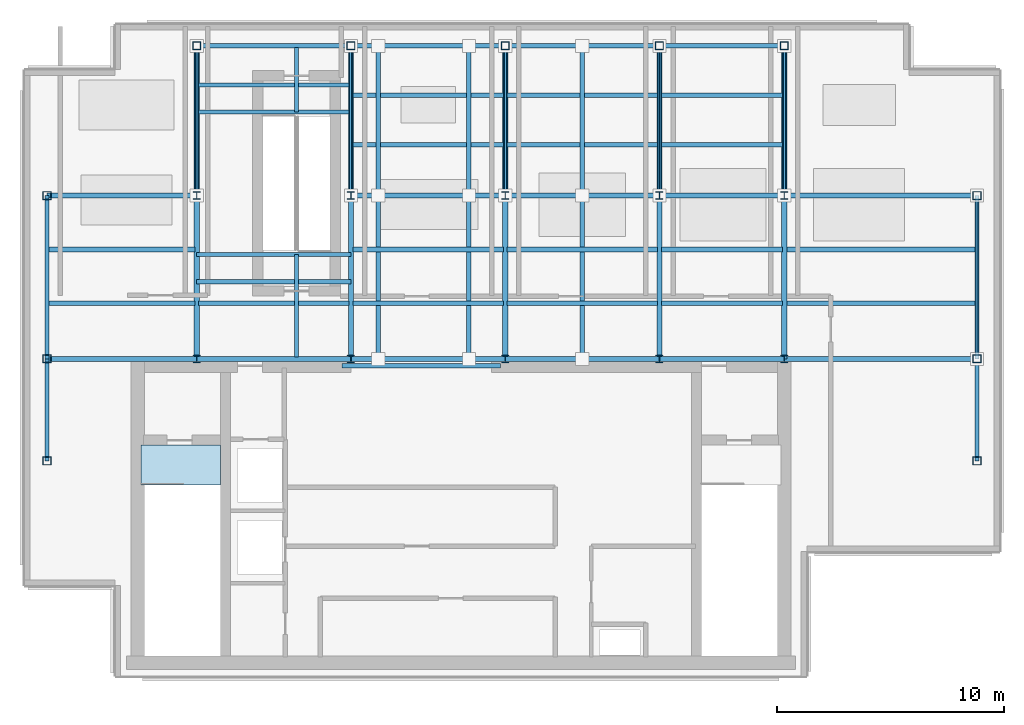
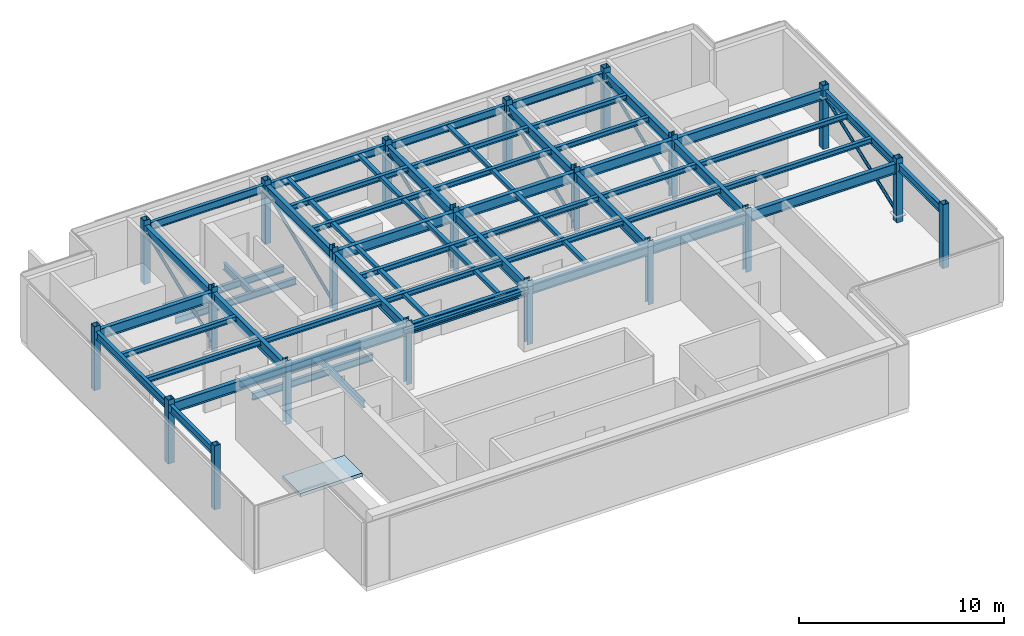
# One storey, part 1 of 5: 53 beams, 21 columns, 12 members, 1 slab.
"""IFC4 building model written with IfcOpenShell, lengths in metres."""

from ifc_helpers import new_model, si_unit, derived_unit, direction, frame, origin, origin_2d, place, context, subcontext, project, spatial, polyline, hollow_rectangle, hollow_circle, i_section, outline, extrude, source, transform, mapped, material, layer, layer_set, material_profile, profile_set, type_object, element, save


model = new_model("IFC4")

# Units and contexts
model_context = context("Model", 3, precision=1e-05, world=origin(), true_north=direction((0.0, 1.0)))
body_context = subcontext(model_context, "Body", "Model", "MODEL_VIEW")
ifc_project = project(units=[si_unit("LENGTHUNIT", "METRE"), si_unit("AREAUNIT", "SQUARE_METRE"), si_unit("VOLUMEUNIT", "CUBIC_METRE"), si_unit("PLANEANGLEUNIT", "RADIAN"), si_unit("MASSUNIT", "GRAM", prefix="KILO"), derived_unit("THERMALTRANSMITTANCEUNIT", [(si_unit("POWERUNIT", "WATT"), 1), (si_unit("LENGTHUNIT", "METRE"), -2), (si_unit("THERMODYNAMICTEMPERATUREUNIT", "KELVIN"), -1)])], contexts=[model_context])

# Site, building, storey
site_placement = place(None, origin())
site = spatial("IfcSite", under=ifc_project, at=site_placement, CompositionType="ELEMENT")
building_placement = place(site_placement, origin())
building = spatial("IfcBuilding", under=site, at=building_placement, Name="Skarnbrae Concourse Arena and Tower", CompositionType="ELEMENT")
storey_placement = place(building_placement, frame((0.0, 0.0, 311.25)))
storey = spatial("IfcBuildingStorey", under=building, at=storey_placement, Name="L81", CompositionType="ELEMENT", Elevation=311.25)

# Columns
ifc_material_1 = material(Name="Steel CSA G40.21 350W", Category="steel")
ifc_material_profile_1 = material_profile(ifc_material_1, hollow_rectangle(XDim=0.355712890625, YDim=0.355712890625, WallThickness=0.01904296875, at=origin_2d()), Name="HSS356X356X19.0")
ifc_profile_set_1 = profile_set([ifc_material_profile_1], Name="Steel CSA G40.21 350W")
column_type_1 = type_object("IfcColumnType", Name="COL-CROWN-HSS356", PredefinedType="COLUMN", material=ifc_profile_set_1)
shared_shape_1 = source(origin(), body_context, "Body", "SweptSolid", [
    extrude(hollow_rectangle(XDim=0.355712890625, YDim=0.355712890625, WallThickness=0.01904296875, at=origin_2d()), origin(), (0.0, 0.0, 1.0), 3.800048828125),
])
for number, where, z_axis, x_axis, name in (
    (1, (1.0, 9.5, 0.0), (0.0, 0.0, 1.0), (1.0, 0.0, 0.0), "L81 Tower column PC_01_01"),
    (2, (1.0, 14.0, 0.0), (0.0, 0.0, 1.0), (1.0, 0.0, 0.0), "L81 Tower column PC_01_02"),
    (3, (1.0, 21.199951171875, 0.0), (0.0, 0.0, 1.0), (1.0, 0.0, 0.0), "L81 Tower column PC_01_03"),
    (4, (7.60009765625, 27.800048828125, 0.0), (0.0, 0.0, 1.0), (1.0, 0.0, 0.0), "L81 Tower column PC_02_04"),
    (5, (14.39990234375, 27.800048828125, 0.0), (0.0, 0.0, 1.0), (1.0, 0.0, 0.0), "L81 Tower column PC_03_04"),
    (6, (21.199951171875, 27.800048828125, 0.0), (0.0, 0.0, 1.0), (1.0, 0.0, 0.0), "L81 Tower column PC_04_04"),
    (7, (28.0, 27.800048828125, 0.0), (0.0, 0.0, 1.0), (1.0, 0.0, 0.0), "L81 Tower column PC_05_04"),
    (8, (33.5, 27.800048828125, 0.0), (0.0, 0.0, 1.0), (1.0, 0.0, 0.0), "L81 Tower column PC_06_04"),
    (9, (42.0, 9.5, 0.0), (0.0, 0.0, 1.0), (1.0, 0.0, 0.0), "L81 Tower column PC_07_01"),
    (10, (42.0, 14.0, 0.0), (0.0, 0.0, 1.0), (1.0, 0.0, 0.0), "L81 Tower column PC_07_02"),
    (11, (42.0, 21.199951171875, 0.0), (0.0, 0.0, 1.0), (1.0, 0.0, 0.0), "L81 Tower column PC_07_03"),
):
    element("IfcColumn", number, at=place(storey_placement, frame(where, z_axis=z_axis, x_axis=x_axis)), inside=storey, type_object=column_type_1, Name=name, PredefinedType="COLUMN", context=body_context, shape_type="MappedRepresentation", body=[
        mapped(shared_shape_1, transform((0.0, 0.0, 0.0))),
    ])
ifc_material_profile_2 = material_profile(ifc_material_1, i_section(OverallWidth=0.30908203125, OverallDepth=0.322998046875, WebThickness=0.013916015625, FlangeThickness=0.02294921875, at=origin_2d()), Name="W310X143")
ifc_profile_set_2 = profile_set([ifc_material_profile_2], Name="Steel CSA G40.21 350W")
column_type_2 = type_object("IfcColumnType", Name="COL-INT-W310X143", PredefinedType="COLUMN", material=ifc_profile_set_2)
shared_shape_2 = source(origin(), body_context, "Body", "SweptSolid", [
    extrude(i_section(OverallWidth=0.30908203125, OverallDepth=0.322998046875, WebThickness=0.013916015625, FlangeThickness=0.02294921875, at=origin_2d()), origin(), (0.0, 0.0, 1.0), 3.800048828125),
])
for number, where, z_axis, x_axis, name in (
    (12, (7.60009765625, 14.0, 0.0), (0.0, 0.0, 1.0), (1.0, 0.0, 0.0), "L81 Tower column IC_02_02"),
    (13, (7.60009765625, 21.199951171875, 0.0), (0.0, 0.0, 1.0), (1.0, 0.0, 0.0), "L81 Tower column IC_02_03"),
    (14, (14.39990234375, 14.0, 0.0), (0.0, 0.0, 1.0), (1.0, 0.0, 0.0), "L81 Tower column IC_03_02"),
    (15, (14.39990234375, 21.199951171875, 0.0), (0.0, 0.0, 1.0), (1.0, 0.0, 0.0), "L81 Tower column IC_03_03"),
    (16, (21.199951171875, 14.0, 0.0), (0.0, 0.0, 1.0), (1.0, 0.0, 0.0), "L81 Tower column IC_04_02"),
    (17, (21.199951171875, 21.199951171875, 0.0), (0.0, 0.0, 1.0), (1.0, 0.0, 0.0), "L81 Tower column IC_04_03"),
    (18, (28.0, 14.0, 0.0), (0.0, 0.0, 1.0), (1.0, 0.0, 0.0), "L81 Tower column IC_05_02"),
    (19, (28.0, 21.199951171875, 0.0), (0.0, 0.0, 1.0), (1.0, 0.0, 0.0), "L81 Tower column IC_05_03"),
    (20, (33.5, 14.0, 0.0), (0.0, 0.0, 1.0), (1.0, 0.0, 0.0), "L81 Tower column IC_06_02"),
    (21, (33.5, 21.199951171875, 0.0), (0.0, 0.0, 1.0), (1.0, 0.0, 0.0), "L81 Tower column IC_06_03"),
):
    element("IfcColumn", number, at=place(storey_placement, frame(where, z_axis=z_axis, x_axis=x_axis)), inside=storey, type_object=column_type_2, Name=name, PredefinedType="COLUMN", context=body_context, shape_type="MappedRepresentation", body=[
        mapped(shared_shape_2, transform((0.0, 0.0, 0.0))),
    ])

# Beams
ifc_material_profile_3 = material_profile(ifc_material_1, i_section(OverallWidth=0.202880859375, OverallDepth=0.251953125, WebThickness=0.008056640625, FlangeThickness=0.013427734375, at=origin_2d()), Name="W250X58")
ifc_profile_set_3 = profile_set([ifc_material_profile_3], Name="Steel CSA G40.21 350W")
beam_type_1 = type_object("IfcBeamType", Name="BM-LINTEL-W250X58", PredefinedType="LINTEL", material=ifc_profile_set_3)
shared_shape_3 = source(origin(), body_context, "Body", "SweptSolid", [
    extrude(i_section(OverallWidth=0.202880859375, OverallDepth=0.251953125, WebThickness=0.008056640625, FlangeThickness=0.013427734375, at=origin_2d()), origin(), (0.0, 0.0, 1.0), 7.0),
])
beam_1_placement = place(storey_placement, frame((14.0, 13.699951171875, 3.3740234375), z_axis=(1.0, 0.0, 0.0), x_axis=(0.0, 1.0, 0.0)))
element("IfcBeam", 22, at=beam_1_placement, inside=storey, type_object=beam_type_1, Name="L81 Core portal coupling lintel", PredefinedType="LINTEL", context=body_context, shape_type="MappedRepresentation", body=[
    mapped(shared_shape_3, transform((0.0, 0.0, 0.0))),
])
ifc_material_profile_4 = material_profile(ifc_material_1, i_section(OverallWidth=0.22802734375, OverallDepth=0.60791015625, WebThickness=0.01123046875, FlangeThickness=0.017333984375, at=origin_2d()), Name="W610X113")
ifc_profile_set_4 = profile_set([ifc_material_profile_4], Name="Steel CSA G40.21 350W")
beam_type_2 = type_object("IfcBeamType", Name="BM-GIRD-W610X113", PredefinedType="BEAM", material=ifc_profile_set_4)
shared_shape_4 = source(origin(), body_context, "Body", "SweptSolid", [
    extrude(i_section(OverallWidth=0.22802734375, OverallDepth=0.60791015625, WebThickness=0.01123046875, FlangeThickness=0.017333984375, at=origin_2d()), origin(), (0.0, 0.0, 1.0), 6.60009765625),
])
for number, where, z_axis, x_axis, name in (
    (23, (1.0, 14.0, 3.196044921875), (1.0, 0.0, 0.0), (0.0, 1.0, 0.0), "L81 Primary E-W girder Y14.0-1"),
    (24, (1.0, 21.199951171875, 3.196044921875), (1.0, 0.0, 0.0), (0.0, 1.0, 0.0), "L81 Primary E-W girder Y21.2-1"),
    (25, (7.60009765625, 21.199951171875, 3.196044921875), (0.0, 1.0, 0.0), (-1.0, 0.0, 0.0), "L81 Primary N-S girder X7.6-2"),
    (26, (14.39990234375, 21.199951171875, 3.196044921875), (0.0, 1.0, 0.0), (-1.0, 0.0, 0.0), "L81 Primary N-S girder X14.4-2"),
    (27, (21.199951171875, 21.199951171875, 3.196044921875), (0.0, 1.0, 0.0), (-1.0, 0.0, 0.0), "L81 Primary N-S girder X21.2-2"),
    (28, (28.0, 21.199951171875, 3.196044921875), (0.0, 1.0, 0.0), (-1.0, 0.0, 0.0), "L81 Primary N-S girder X28.0-2"),
    (29, (33.5, 21.199951171875, 3.196044921875), (0.0, 1.0, 0.0), (-1.0, 0.0, 0.0), "L81 Primary N-S girder X33.5-2"),
):
    element("IfcBeam", number, at=place(storey_placement, frame(where, z_axis=z_axis, x_axis=x_axis)), inside=storey, type_object=beam_type_2, Name=name, PredefinedType="BEAM", context=body_context, shape_type="MappedRepresentation", body=[
        mapped(shared_shape_4, transform((0.0, 0.0, 0.0))),
    ])
shared_shape_5 = source(origin(), body_context, "Body", "SweptSolid", [
    extrude(i_section(OverallWidth=0.22802734375, OverallDepth=0.60791015625, WebThickness=0.01123046875, FlangeThickness=0.017333984375, at=origin_2d()), origin(), (0.0, 0.0, 1.0), 6.7998046875),
])
beam_2_placement = place(storey_placement, frame((7.60009765625, 14.0, 3.196044921875), z_axis=(1.0, 0.0, 0.0), x_axis=(0.0, 1.0, 0.0)))
element("IfcBeam", 30, at=beam_2_placement, inside=storey, type_object=beam_type_2, Name="L81 Primary E-W girder Y14.0-2", PredefinedType="BEAM", context=body_context, shape_type="MappedRepresentation", body=[
    mapped(shared_shape_5, transform((0.0, 0.0, 0.0))),
])
shared_shape_6 = source(origin(), body_context, "Body", "SweptSolid", [
    extrude(i_section(OverallWidth=0.22802734375, OverallDepth=0.60791015625, WebThickness=0.01123046875, FlangeThickness=0.017333984375, at=origin_2d()), origin(), (0.0, 0.0, 1.0), 6.800048828125),
])
for number, where, z_axis, x_axis, name in (
    (31, (14.39990234375, 14.0, 3.196044921875), (1.0, 0.0, 0.0), (0.0, 1.0, 0.0), "L81 Primary E-W girder Y14.0-3"),
    (32, (21.199951171875, 14.0, 3.196044921875), (1.0, 0.0, 0.0), (0.0, 1.0, 0.0), "L81 Primary E-W girder Y14.0-4"),
    (33, (14.39990234375, 21.199951171875, 3.196044921875), (1.0, 0.0, 0.0), (0.0, 1.0, 0.0), "L81 Primary E-W girder Y21.2-3"),
    (34, (21.199951171875, 21.199951171875, 3.196044921875), (1.0, 0.0, 0.0), (0.0, 1.0, 0.0), "L81 Primary E-W girder Y21.2-4"),
):
    element("IfcBeam", number, at=place(storey_placement, frame(where, z_axis=z_axis, x_axis=x_axis)), inside=storey, type_object=beam_type_2, Name=name, PredefinedType="BEAM", context=body_context, shape_type="MappedRepresentation", body=[
        mapped(shared_shape_6, transform((0.0, 0.0, 0.0))),
    ])
shared_shape_7 = source(origin(), body_context, "Body", "SweptSolid", [
    extrude(i_section(OverallWidth=0.22802734375, OverallDepth=0.60791015625, WebThickness=0.01123046875, FlangeThickness=0.017333984375, at=origin_2d()), origin(), (0.0, 0.0, 1.0), 5.5),
])
for number, where, z_axis, x_axis, name in (
    (35, (28.0, 14.0, 3.196044921875), (1.0, 0.0, 0.0), (0.0, 1.0, 0.0), "L81 Primary E-W girder Y14.0-5"),
    (36, (28.0, 21.199951171875, 3.196044921875), (1.0, 0.0, 0.0), (0.0, 1.0, 0.0), "L81 Primary E-W girder Y21.2-5"),
):
    element("IfcBeam", number, at=place(storey_placement, frame(where, z_axis=z_axis, x_axis=x_axis)), inside=storey, type_object=beam_type_2, Name=name, PredefinedType="BEAM", context=body_context, shape_type="MappedRepresentation", body=[
        mapped(shared_shape_7, transform((0.0, 0.0, 0.0))),
    ])
shared_shape_8 = source(origin(), body_context, "Body", "SweptSolid", [
    extrude(i_section(OverallWidth=0.22802734375, OverallDepth=0.60791015625, WebThickness=0.01123046875, FlangeThickness=0.017333984375, at=origin_2d()), origin(), (0.0, 0.0, 1.0), 8.5),
])
for number, where, z_axis, x_axis, name in (
    (37, (33.5, 14.0, 3.196044921875), (1.0, 0.0, 0.0), (0.0, 1.0, 0.0), "L81 Primary E-W girder Y14.0-6"),
    (38, (33.5, 21.199951171875, 3.196044921875), (1.0, 0.0, 0.0), (0.0, 1.0, 0.0), "L81 Primary E-W girder Y21.2-6"),
):
    element("IfcBeam", number, at=place(storey_placement, frame(where, z_axis=z_axis, x_axis=x_axis)), inside=storey, type_object=beam_type_2, Name=name, PredefinedType="BEAM", context=body_context, shape_type="MappedRepresentation", body=[
        mapped(shared_shape_8, transform((0.0, 0.0, 0.0))),
    ])
ifc_material_profile_5 = material_profile(ifc_material_1, i_section(OverallWidth=0.19091796875, OverallDepth=0.4599609375, WebThickness=0.010009765625, FlangeThickness=0.01611328125, at=origin_2d()), Name="W460X82")
ifc_profile_set_5 = profile_set([ifc_material_profile_5], Name="Steel CSA G40.21 350W")
beam_type_3 = type_object("IfcBeamType", Name="BM-SPAN-W460X82", PredefinedType="SPANDREL", material=ifc_profile_set_5)
shared_shape_9 = source(origin(), body_context, "Body", "SweptSolid", [
    extrude(i_section(OverallWidth=0.19091796875, OverallDepth=0.4599609375, WebThickness=0.010009765625, FlangeThickness=0.01611328125, at=origin_2d()), origin(), (0.0, 0.0, 1.0), 6.7998046875),
])
beam_3_placement = place(storey_placement, frame((7.60009765625, 27.800048828125, 3.27001953125), z_axis=(1.0, 0.0, 0.0), x_axis=(0.0, 1.0, 0.0)))
element("IfcBeam", 39, at=beam_3_placement, inside=storey, type_object=beam_type_3, Name="L81 Perimeter spandrel Y27.8-1", PredefinedType="SPANDREL", context=body_context, shape_type="MappedRepresentation", body=[
    mapped(shared_shape_9, transform((0.0, 0.0, 0.0))),
])
shared_shape_10 = source(origin(), body_context, "Body", "SweptSolid", [
    extrude(i_section(OverallWidth=0.19091796875, OverallDepth=0.4599609375, WebThickness=0.010009765625, FlangeThickness=0.01611328125, at=origin_2d()), origin(), (0.0, 0.0, 1.0), 6.800048828125),
])
for number, where, z_axis, x_axis, name in (
    (40, (14.39990234375, 27.800048828125, 3.27001953125), (1.0, 0.0, 0.0), (0.0, 1.0, 0.0), "L81 Perimeter spandrel Y27.8-2"),
    (41, (21.199951171875, 27.800048828125, 3.27001953125), (1.0, 0.0, 0.0), (0.0, 1.0, 0.0), "L81 Perimeter spandrel Y27.8-3"),
):
    element("IfcBeam", number, at=place(storey_placement, frame(where, z_axis=z_axis, x_axis=x_axis)), inside=storey, type_object=beam_type_3, Name=name, PredefinedType="SPANDREL", context=body_context, shape_type="MappedRepresentation", body=[
        mapped(shared_shape_10, transform((0.0, 0.0, 0.0))),
    ])
shared_shape_11 = source(origin(), body_context, "Body", "SweptSolid", [
    extrude(i_section(OverallWidth=0.19091796875, OverallDepth=0.4599609375, WebThickness=0.010009765625, FlangeThickness=0.01611328125, at=origin_2d()), origin(), (0.0, 0.0, 1.0), 5.5),
])
beam_4_placement = place(storey_placement, frame((28.0, 27.800048828125, 3.27001953125), z_axis=(1.0, 0.0, 0.0), x_axis=(0.0, 1.0, 0.0)))
element("IfcBeam", 42, at=beam_4_placement, inside=storey, type_object=beam_type_3, Name="L81 Perimeter spandrel Y27.8-4", PredefinedType="SPANDREL", context=body_context, shape_type="MappedRepresentation", body=[
    mapped(shared_shape_11, transform((0.0, 0.0, 0.0))),
])
shared_shape_12 = source(origin(), body_context, "Body", "SweptSolid", [
    extrude(i_section(OverallWidth=0.19091796875, OverallDepth=0.4599609375, WebThickness=0.010009765625, FlangeThickness=0.01611328125, at=origin_2d()), origin(), (0.0, 0.0, 1.0), 4.5),
])
for number, where, z_axis, x_axis, name in (
    (43, (1.0, 9.5, 3.27001953125), (0.0, 1.0, 0.0), (-1.0, 0.0, 0.0), "L81 Perimeter spandrel X1.0-1"),
    (44, (42.0, 9.5, 3.27001953125), (0.0, 1.0, 0.0), (-1.0, 0.0, 0.0), "L81 Perimeter spandrel X42.0-1"),
):
    element("IfcBeam", number, at=place(storey_placement, frame(where, z_axis=z_axis, x_axis=x_axis)), inside=storey, type_object=beam_type_3, Name=name, PredefinedType="SPANDREL", context=body_context, shape_type="MappedRepresentation", body=[
        mapped(shared_shape_12, transform((0.0, 0.0, 0.0))),
    ])
shared_shape_13 = source(origin(), body_context, "Body", "SweptSolid", [
    extrude(i_section(OverallWidth=0.19091796875, OverallDepth=0.4599609375, WebThickness=0.010009765625, FlangeThickness=0.01611328125, at=origin_2d()), origin(), (0.0, 0.0, 1.0), 7.199951171875),
])
for number, where, z_axis, x_axis, name in (
    (45, (1.0, 14.0, 3.27001953125), (0.0, 1.0, 0.0), (-1.0, 0.0, 0.0), "L81 Perimeter spandrel X1.0-2"),
    (46, (42.0, 14.0, 3.27001953125), (0.0, 1.0, 0.0), (-1.0, 0.0, 0.0), "L81 Perimeter spandrel X42.0-2"),
):
    element("IfcBeam", number, at=place(storey_placement, frame(where, z_axis=z_axis, x_axis=x_axis)), inside=storey, type_object=beam_type_3, Name=name, PredefinedType="SPANDREL", context=body_context, shape_type="MappedRepresentation", body=[
        mapped(shared_shape_13, transform((0.0, 0.0, 0.0))),
    ])
shared_shape_14 = source(origin(), body_context, "Body", "SweptSolid", [
    extrude(i_section(OverallWidth=0.22802734375, OverallDepth=0.60791015625, WebThickness=0.01123046875, FlangeThickness=0.017333984375, at=origin_2d()), origin(), (0.0, 0.0, 1.0), 7.199951171875),
])
for number, where, z_axis, x_axis, name in (
    (47, (7.60009765625, 14.0, 3.196044921875), (0.0, 1.0, 0.0), (-1.0, 0.0, 0.0), "L81 Primary N-S girder X7.6-1"),
    (48, (14.39990234375, 14.0, 3.196044921875), (0.0, 1.0, 0.0), (-1.0, 0.0, 0.0), "L81 Primary N-S girder X14.4-1"),
    (49, (21.199951171875, 14.0, 3.196044921875), (0.0, 1.0, 0.0), (-1.0, 0.0, 0.0), "L81 Primary N-S girder X21.2-1"),
    (50, (28.0, 14.0, 3.196044921875), (0.0, 1.0, 0.0), (-1.0, 0.0, 0.0), "L81 Primary N-S girder X28.0-1"),
    (51, (33.5, 14.0, 3.196044921875), (0.0, 1.0, 0.0), (-1.0, 0.0, 0.0), "L81 Primary N-S girder X33.5-1"),
):
    element("IfcBeam", number, at=place(storey_placement, frame(where, z_axis=z_axis, x_axis=x_axis)), inside=storey, type_object=beam_type_2, Name=name, PredefinedType="BEAM", context=body_context, shape_type="MappedRepresentation", body=[
        mapped(shared_shape_14, transform((0.0, 0.0, 0.0))),
    ])
ifc_material_profile_6 = material_profile(ifc_material_1, i_section(OverallWidth=0.202880859375, OverallDepth=0.302978515625, WebThickness=0.007568359375, FlangeThickness=0.01318359375, at=origin_2d()), Name="W310X60")
ifc_profile_set_6 = profile_set([ifc_material_profile_6], Name="Steel CSA G40.21 350W")
beam_type_4 = type_object("IfcBeamType", Name="BM-JOIST-W310X60", PredefinedType="JOIST", material=ifc_profile_set_6)
shared_shape_15 = source(origin(), body_context, "Body", "SweptSolid", [
    extrude(i_section(OverallWidth=0.202880859375, OverallDepth=0.302978515625, WebThickness=0.007568359375, FlangeThickness=0.01318359375, at=origin_2d()), origin(), (0.0, 0.0, 1.0), 6.43994140625),
])
for number, where, z_axis, x_axis, name in (
    (52, (1.080078125, 16.447998046875, 3.348388671875), (1.0, 0.0, 0.0), (0.0, 1.0, 0.0), "L81 Secondary floor joist 1.1.1"),
    (53, (1.080078125, 18.823974609375, 3.348388671875), (1.0, 0.0, 0.0), (0.0, 1.0, 0.0), "L81 Secondary floor joist 1.2.1"),
):
    element("IfcBeam", number, at=place(storey_placement, frame(where, z_axis=z_axis, x_axis=x_axis)), inside=storey, type_object=beam_type_4, Name=name, PredefinedType="JOIST", context=body_context, shape_type="MappedRepresentation", body=[
        mapped(shared_shape_15, transform((0.0, 0.0, 0.0))),
    ])
shared_shape_16 = source(origin(), body_context, "Body", "SweptSolid", [
    extrude(i_section(OverallWidth=0.202880859375, OverallDepth=0.302978515625, WebThickness=0.007568359375, FlangeThickness=0.01318359375, at=origin_2d()), origin(), (0.0, 0.0, 1.0), 6.64013671875),
])
for number, where, z_axis, x_axis, name in (
    (54, (7.679931640625, 16.447998046875, 3.348388671875), (1.0, 0.0, 0.0), (0.0, 1.0, 0.0), "L81 Secondary floor joist 1.1.2"),
    (55, (14.47998046875, 16.447998046875, 3.348388671875), (1.0, 0.0, 0.0), (0.0, 1.0, 0.0), "L81 Secondary floor joist 1.1.3"),
    (56, (14.47998046875, 18.823974609375, 3.348388671875), (1.0, 0.0, 0.0), (0.0, 1.0, 0.0), "L81 Secondary floor joist 1.2.3"),
    (57, (14.47998046875, 23.444091796875, 3.348388671875), (1.0, 0.0, 0.0), (0.0, 1.0, 0.0), "L81 Secondary floor joist 2.1.2"),
    (58, (14.47998046875, 25.6220703125, 3.348388671875), (1.0, 0.0, 0.0), (0.0, 1.0, 0.0), "L81 Secondary floor joist 2.2.2"),
):
    element("IfcBeam", number, at=place(storey_placement, frame(where, z_axis=z_axis, x_axis=x_axis)), inside=storey, type_object=beam_type_4, Name=name, PredefinedType="JOIST", context=body_context, shape_type="MappedRepresentation", body=[
        mapped(shared_shape_16, transform((0.0, 0.0, 0.0))),
    ])
shared_shape_17 = source(origin(), body_context, "Body", "SweptSolid", [
    extrude(i_section(OverallWidth=0.202880859375, OverallDepth=0.302978515625, WebThickness=0.007568359375, FlangeThickness=0.01318359375, at=origin_2d()), origin(), (0.0, 0.0, 1.0), 6.639892578125),
])
for number, where, z_axis, x_axis, name in (
    (59, (21.280029296875, 16.447998046875, 3.348388671875), (1.0, 0.0, 0.0), (0.0, 1.0, 0.0), "L81 Secondary floor joist 1.1.4"),
    (60, (21.280029296875, 18.823974609375, 3.348388671875), (1.0, 0.0, 0.0), (0.0, 1.0, 0.0), "L81 Secondary floor joist 1.2.4"),
    (61, (21.280029296875, 23.444091796875, 3.348388671875), (1.0, 0.0, 0.0), (0.0, 1.0, 0.0), "L81 Secondary floor joist 2.1.3"),
    (62, (21.280029296875, 25.6220703125, 3.348388671875), (1.0, 0.0, 0.0), (0.0, 1.0, 0.0), "L81 Secondary floor joist 2.2.3"),
):
    element("IfcBeam", number, at=place(storey_placement, frame(where, z_axis=z_axis, x_axis=x_axis)), inside=storey, type_object=beam_type_4, Name=name, PredefinedType="JOIST", context=body_context, shape_type="MappedRepresentation", body=[
        mapped(shared_shape_17, transform((0.0, 0.0, 0.0))),
    ])
shared_shape_18 = source(origin(), body_context, "Body", "SweptSolid", [
    extrude(i_section(OverallWidth=0.202880859375, OverallDepth=0.302978515625, WebThickness=0.007568359375, FlangeThickness=0.01318359375, at=origin_2d()), origin(), (0.0, 0.0, 1.0), 5.33984375),
])
for number, where, z_axis, x_axis, name in (
    (63, (28.080078125, 16.447998046875, 3.348388671875), (1.0, 0.0, 0.0), (0.0, 1.0, 0.0), "L81 Secondary floor joist 1.1.5"),
    (64, (28.080078125, 18.823974609375, 3.348388671875), (1.0, 0.0, 0.0), (0.0, 1.0, 0.0), "L81 Secondary floor joist 1.2.5"),
    (65, (28.080078125, 23.444091796875, 3.348388671875), (1.0, 0.0, 0.0), (0.0, 1.0, 0.0), "L81 Secondary floor joist 2.1.4"),
    (66, (28.080078125, 25.6220703125, 3.348388671875), (1.0, 0.0, 0.0), (0.0, 1.0, 0.0), "L81 Secondary floor joist 2.2.4"),
):
    element("IfcBeam", number, at=place(storey_placement, frame(where, z_axis=z_axis, x_axis=x_axis)), inside=storey, type_object=beam_type_4, Name=name, PredefinedType="JOIST", context=body_context, shape_type="MappedRepresentation", body=[
        mapped(shared_shape_18, transform((0.0, 0.0, 0.0))),
    ])
shared_shape_19 = source(origin(), body_context, "Body", "SweptSolid", [
    extrude(i_section(OverallWidth=0.202880859375, OverallDepth=0.302978515625, WebThickness=0.007568359375, FlangeThickness=0.01318359375, at=origin_2d()), origin(), (0.0, 0.0, 1.0), 8.33984375),
])
for number, where, z_axis, x_axis, name in (
    (67, (33.580078125, 16.447998046875, 3.348388671875), (1.0, 0.0, 0.0), (0.0, 1.0, 0.0), "L81 Secondary floor joist 1.1.6"),
    (68, (33.580078125, 18.823974609375, 3.348388671875), (1.0, 0.0, 0.0), (0.0, 1.0, 0.0), "L81 Secondary floor joist 1.2.6"),
):
    element("IfcBeam", number, at=place(storey_placement, frame(where, z_axis=z_axis, x_axis=x_axis)), inside=storey, type_object=beam_type_4, Name=name, PredefinedType="JOIST", context=body_context, shape_type="MappedRepresentation", body=[
        mapped(shared_shape_19, transform((0.0, 0.0, 0.0))),
    ])

# Members
ifc_material_profile_7 = material_profile(ifc_material_1, hollow_rectangle(XDim=0.203125, YDim=0.203125, WallThickness=0.0126953125, at=origin_2d()), Name="HSS203X203X12.7")
ifc_profile_set_7 = profile_set([ifc_material_profile_7], Name="Steel CSA G40.21 350W")
member_type_1 = type_object("IfcMemberType", Name="MEM-PURLIN-HSS203", PredefinedType="PURLIN", material=ifc_profile_set_7)
shared_shape_20 = source(origin(), body_context, "Body", "SweptSolid", [
    extrude(hollow_rectangle(XDim=0.203125, YDim=0.203125, WallThickness=0.0126953125, at=origin_2d()), origin(), (0.0, 0.0, 1.0), 7.199951171875),
])
for number, where, z_axis, x_axis, name in (
    (69, (15.60009765625, 14.0, 3.3798828125), (0.0, 1.0, 0.0), (-1.0, 0.0, 0.0), "L81 Crown flat-roof purlin 1.1"),
    (70, (19.60009765625, 14.0, 3.3798828125), (0.0, 1.0, 0.0), (-1.0, 0.0, 0.0), "L81 Crown flat-roof purlin 2.1"),
    (71, (24.60009765625, 14.0, 3.3798828125), (0.0, 1.0, 0.0), (-1.0, 0.0, 0.0), "L81 Crown flat-roof purlin 3.1"),
):
    element("IfcMember", number, at=place(storey_placement, frame(where, z_axis=z_axis, x_axis=x_axis)), inside=storey, type_object=member_type_1, Name=name, PredefinedType="PURLIN", context=body_context, shape_type="MappedRepresentation", body=[
        mapped(shared_shape_20, transform((0.0, 0.0, 0.0))),
    ])
shared_shape_21 = source(origin(), body_context, "Body", "SweptSolid", [
    extrude(hollow_rectangle(XDim=0.203125, YDim=0.203125, WallThickness=0.0126953125, at=origin_2d()), origin(), (0.0, 0.0, 1.0), 6.60009765625),
])
for number, where, z_axis, x_axis, name in (
    (72, (15.60009765625, 21.199951171875, 3.3798828125), (0.0, 1.0, 0.0), (-1.0, 0.0, 0.0), "L81 Crown flat-roof purlin 1.2"),
    (73, (19.60009765625, 21.199951171875, 3.3798828125), (0.0, 1.0, 0.0), (-1.0, 0.0, 0.0), "L81 Crown flat-roof purlin 2.2"),
    (74, (24.60009765625, 21.199951171875, 3.3798828125), (0.0, 1.0, 0.0), (-1.0, 0.0, 0.0), "L81 Crown flat-roof purlin 3.2"),
):
    element("IfcMember", number, at=place(storey_placement, frame(where, z_axis=z_axis, x_axis=x_axis)), inside=storey, type_object=member_type_1, Name=name, PredefinedType="PURLIN", context=body_context, shape_type="MappedRepresentation", body=[
        mapped(shared_shape_21, transform((0.0, 0.0, 0.0))),
    ])
ifc_material_profile_8 = material_profile(ifc_material_1, hollow_circle(Radius=0.084228515625, WallThickness=0.009521484375, at=origin_2d()), Name="HSS168X9.5")
ifc_profile_set_8 = profile_set([ifc_material_profile_8], Name="Steel CSA G40.21 350W")
member_type_2 = type_object("IfcMemberType", Name="MEM-CROWN-BRACE-CHS168", PredefinedType="BRACE", material=ifc_profile_set_8)
shared_shape_22 = source(origin(), body_context, "Body", "SweptSolid", [
    extrude(hollow_circle(Radius=0.084228515625, WallThickness=0.009521484375, at=origin_2d()), origin(), (0.0, 0.0, 1.0), 7.689697265625),
])
member_placement = place(storey_placement, frame((42.0, 14.0, 0.39990234375), z_axis=(0.0, 0.936320043878, 0.351147797134), x_axis=(-1.0, 0.0, 0.0)))
element("IfcMember", 75, at=member_placement, inside=storey, type_object=member_type_2, Name="L81 Crown wind-bracing strut 01", PredefinedType="BRACE", context=body_context, shape_type="MappedRepresentation", body=[
    mapped(shared_shape_22, transform((0.0, 0.0, 0.0))),
])
shared_shape_23 = source(origin(), body_context, "Body", "SweptSolid", [
    extrude(hollow_circle(Radius=0.084228515625, WallThickness=0.009521484375, at=origin_2d()), origin(), (0.0, 0.0, 1.0), 7.131103515625),
])
for number, where, z_axis, x_axis, name in (
    (76, (7.60009765625, 21.199951171875, 0.39990234375), (0.0, 0.925539321059, 0.378651508875), (-1.0, 0.0, 0.0), "L81 Crown wind-bracing strut 02"),
    (77, (14.39990234375, 21.199951171875, 0.39990234375), (0.0, 0.925539321059, 0.378651508875), (-1.0, 0.0, 0.0), "L81 Crown wind-bracing strut 03"),
    (78, (21.199951171875, 21.199951171875, 0.39990234375), (0.0, 0.925539321059, 0.378651508875), (-1.0, 0.0, 0.0), "L81 Crown wind-bracing strut 04"),
    (79, (28.0, 21.199951171875, 0.39990234375), (0.0, 0.925539321059, 0.378651508875), (-1.0, 0.0, 0.0), "L81 Crown wind-bracing strut 05"),
    (80, (33.5, 21.199951171875, 0.39990234375), (0.0, 0.925539321059, 0.378651508875), (-1.0, 0.0, 0.0), "L81 Crown wind-bracing strut 06"),
):
    element("IfcMember", number, at=place(storey_placement, frame(where, z_axis=z_axis, x_axis=x_axis)), inside=storey, type_object=member_type_2, Name=name, PredefinedType="BRACE", context=body_context, shape_type="MappedRepresentation", body=[
        mapped(shared_shape_23, transform((0.0, 0.0, 0.0))),
    ])

# Beams
ifc_material_profile_9 = material_profile(ifc_material_1, i_section(OverallWidth=0.177978515625, OverallDepth=0.406982421875, WebThickness=0.0078125, FlangeThickness=0.0126953125, at=origin_2d()), Name="W410X60")
ifc_profile_set_9 = profile_set([ifc_material_profile_9], Name="Steel CSA G40.21 350W")
beam_type_5 = type_object("IfcBeamType", Name="BM-JOIST-W410X60", PredefinedType="JOIST", material=ifc_profile_set_9)
shared_shape_24 = source(origin(), body_context, "Body", "SweptSolid", [
    extrude(i_section(OverallWidth=0.177978515625, OverallDepth=0.406982421875, WebThickness=0.0078125, FlangeThickness=0.0126953125, at=origin_2d()), origin(), (0.0, 0.0, 1.0), 6.7998046875),
])
for number, where, z_axis, x_axis, name in (
    (81, (7.60009765625, 17.39990234375, -0.50146484375), (1.0, 0.0, 0.0), (0.0, 1.0, 0.0), "L81 Crown stair ST-CRWN E-W framing beam 1"),
    (82, (7.60009765625, 18.60009765625, -0.50146484375), (1.0, 0.0, 0.0), (0.0, 1.0, 0.0), "L81 Crown stair ST-CRWN E-W framing beam 2"),
    (83, (7.60009765625, 24.8798828125, -0.50146484375), (1.0, 0.0, 0.0), (0.0, 1.0, 0.0), "L81 Crown stair ST-CRWN E-W framing beam 3"),
    (84, (7.60009765625, 26.080078125, -0.50146484375), (1.0, 0.0, 0.0), (0.0, 1.0, 0.0), "L81 Crown stair ST-CRWN E-W framing beam 4"),
):
    element("IfcBeam", number, at=place(storey_placement, frame(where, z_axis=z_axis, x_axis=x_axis)), inside=storey, type_object=beam_type_5, Name=name, PredefinedType="JOIST", context=body_context, shape_type="MappedRepresentation", body=[
        mapped(shared_shape_24, transform((0.0, 0.0, 0.0))),
    ])
shared_shape_25 = source(origin(), body_context, "Body", "SweptSolid", [
    extrude(i_section(OverallWidth=0.177978515625, OverallDepth=0.406982421875, WebThickness=0.0078125, FlangeThickness=0.0126953125, at=origin_2d()), origin(), (0.0, 0.0, 1.0), 4.52001953125),
])
beam_5_placement = place(storey_placement, frame((12.0, 14.080078125, -0.50146484375), z_axis=(0.0, 1.0, 0.0), x_axis=(-1.0, 0.0, 0.0)))
element("IfcBeam", 85, at=beam_5_placement, inside=storey, type_object=beam_type_5, Name="L81 Crown stair ST-CRWN N-S framing beam 1", PredefinedType="JOIST", context=body_context, shape_type="MappedRepresentation", body=[
    mapped(shared_shape_25, transform((0.0, 0.0, 0.0))),
])
shared_shape_26 = source(origin(), body_context, "Body", "SweptSolid", [
    extrude(i_section(OverallWidth=0.177978515625, OverallDepth=0.406982421875, WebThickness=0.0078125, FlangeThickness=0.0126953125, at=origin_2d()), origin(), (0.0, 0.0, 1.0), 2.840087890625),
])
beam_6_placement = place(storey_placement, frame((12.0, 24.8798828125, -0.50146484375), z_axis=(0.0, 1.0, 0.0), x_axis=(-1.0, 0.0, 0.0)))
element("IfcBeam", 86, at=beam_6_placement, inside=storey, type_object=beam_type_5, Name="L81 Crown stair ST-CRWN N-S framing beam 2", PredefinedType="JOIST", context=body_context, shape_type="MappedRepresentation", body=[
    mapped(shared_shape_26, transform((0.0, 0.0, 0.0))),
])

# Slab
ifc_material_2 = material(Name="Concrete 40 MPa (C40/50)", Category="concrete")
ifc_layer = layer(ifc_material_2, 0.199951171875)
ifc_layer_set = layer_set([ifc_layer], Name="Concrete 40 MPa (C40/50)")
slab_type = type_object("IfcSlabType", Name="SLAB-LANDING-200", PredefinedType="LANDING", material=ifc_layer_set)
slab_placement = place(storey_placement, frame((0.0, 0.0, -0.199951171875)))
element("IfcSlab", 87, at=slab_placement, inside=storey, type_object=slab_type, Name="L81 Core stair ST1 floor landing", PredefinedType="LANDING", context=body_context, shape_type="SweptSolid", body=[
    extrude(outline(polyline([(5.14990234375, 10.199951171875), (5.14990234375, 8.449951171875), (8.64990234375, 8.449951171875), (8.64990234375, 10.199951171875), (5.14990234375, 10.199951171875)])), origin(), (0.0, 0.0, 1.0), 0.199951171875),
])

save(model, "model.ifc")
